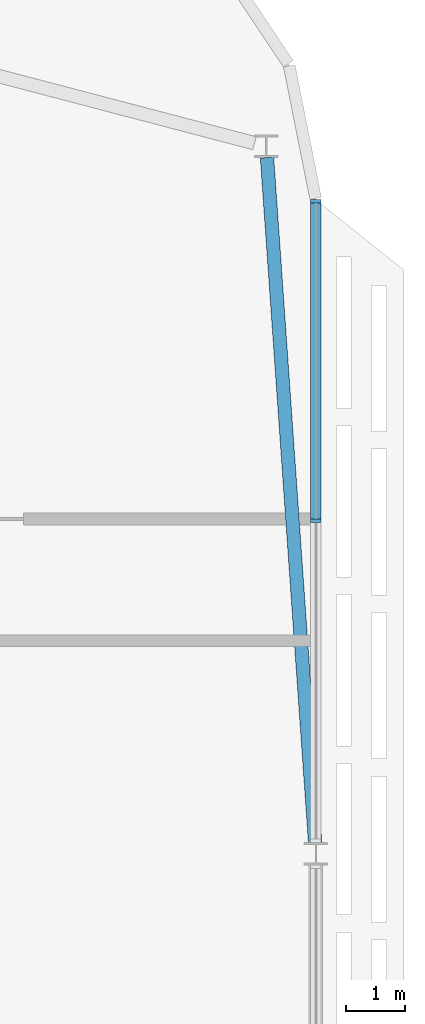
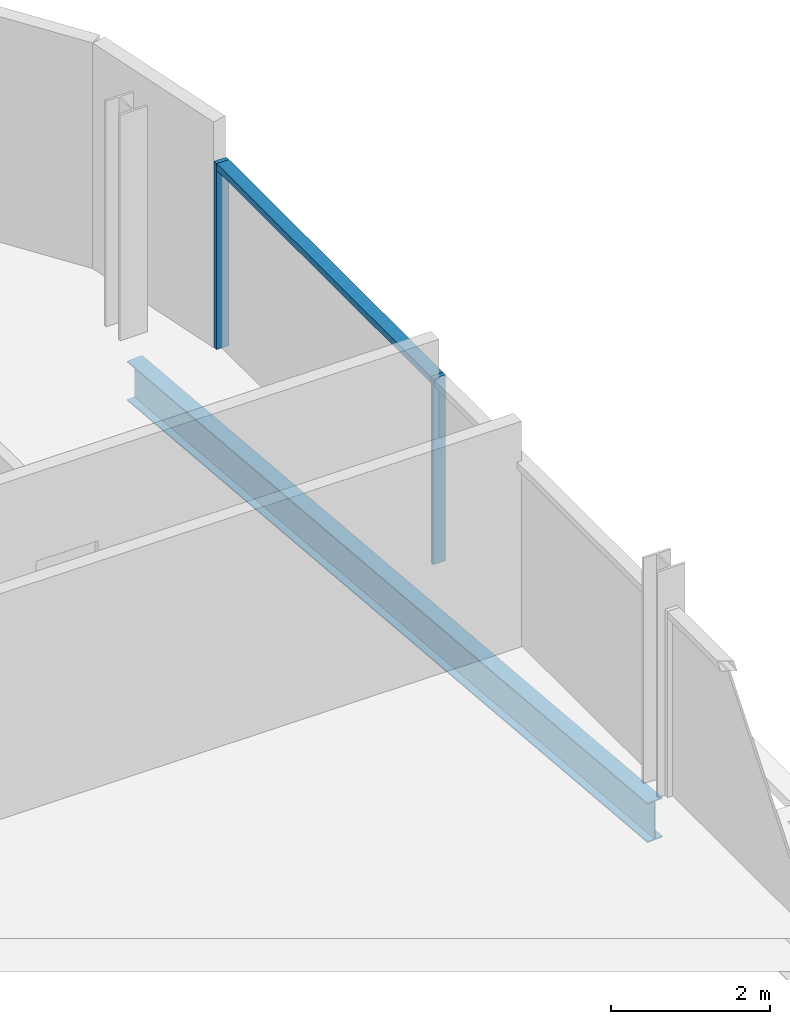
# One storey, part 15 of 32: 3 members, 1 beam, 1 element without a shape of its own.
"""IFC4 building model written with IfcOpenShell, lengths in metres."""

from ifc_helpers import new_model, si_unit, direction, frame, origin, origin_2d, place, context, subcontext, project, spatial, rectangle, i_section, extrude, material, material_profile, profile_set, type_object, element, aggregate, save


model = new_model("IFC4")

# Units and contexts
model_context = context("Model", 3, precision=1e-05, world=origin(), true_north=direction((0.0, 1.0)))
body_context = subcontext(model_context, "Body", "Model", "MODEL_VIEW")
ifc_project = project(units=[si_unit("LENGTHUNIT", "METRE"), si_unit("AREAUNIT", "SQUARE_METRE"), si_unit("VOLUMEUNIT", "CUBIC_METRE"), si_unit("PLANEANGLEUNIT", "RADIAN"), si_unit("MASSUNIT", "GRAM", prefix="KILO")], contexts=[model_context])

# Site, building, storey
site_placement = place(None, origin())
site = spatial("IfcSite", under=ifc_project, at=site_placement, CompositionType="ELEMENT")
building_placement = place(site_placement, origin())
building = spatial("IfcBuilding", under=site, at=building_placement, Name="Mahtab Terrace Research Tower", CompositionType="ELEMENT")
storey_placement = place(building_placement, frame((0.0, 0.0, 232.39990234375)))
storey = spatial("IfcBuildingStorey", under=building, at=storey_placement, Name="L56", CompositionType="ELEMENT", Elevation=232.39990234375)

# Curtain wall, members
ifc_material_1 = material(Name="Office ribbon curtain wall")
curtain_wall_type = type_object("IfcCurtainWallType", Name="Office ribbon curtain wall", PredefinedType="NOTDEFINED", material=ifc_material_1)
curtain_wall_placement = place(storey_placement, origin())
curtain_wall = element("IfcCurtainWall", 1, at=curtain_wall_placement, inside=storey, type_object=curtain_wall_type, Name="EN.L56.18.23", PredefinedType="NOTDEFINED")
ifc_material_2 = material(Name="Natural anodised aluminium", Category="aluminium")
ifc_material_profile_1 = material_profile(ifc_material_2, rectangle(XDim=0.179931640625, YDim=0.06005859375, at=origin_2d()), Name="MULLION 60x180")
ifc_profile_set_1 = profile_set([ifc_material_profile_1], Name="Natural anodised aluminium")
member_type_1 = type_object("IfcMemberType", Name="Office ribbon curtain wall mullion", PredefinedType="MULLION", material=ifc_profile_set_1)
member_1_placement = place(storey_placement, frame((54.0, 17.166015625, 0.0), z_axis=(0.0, 0.0, 1.0), x_axis=(-1.0, 0.0, 0.0)))
member_1 = element("IfcMember", 2, at=member_1_placement, type_object=member_type_1, Name="CWO-7 mullion 2", PredefinedType="MULLION", context=body_context, shape_type="SweptSolid", body=[
    extrude(rectangle(XDim=0.179931640625, YDim=0.06005859375, at=origin_2d()), origin(), (0.0, 0.0, 1.0), 2.85302734375),
])
member_2_placement = place(storey_placement, frame((54.0, 22.60888671875, 0.0), z_axis=(0.0, 0.0, 1.0), x_axis=(-1.0, 0.0, 0.0)))
member_2 = element("IfcMember", 3, at=member_2_placement, type_object=member_type_1, Name="CWO-7 mullion 3", PredefinedType="MULLION", context=body_context, shape_type="SweptSolid", body=[
    extrude(rectangle(XDim=0.179931640625, YDim=0.06005859375, at=origin_2d()), origin(), (0.0, 0.0, 1.0), 2.85302734375),
])
ifc_material_profile_2 = material_profile(ifc_material_2, rectangle(XDim=0.179931640625, YDim=0.10009765625, at=origin_2d()), Name="TRANSOM 100x180")
ifc_profile_set_2 = profile_set([ifc_material_profile_2], Name="Natural anodised aluminium")
member_type_2 = type_object("IfcMemberType", Name="Office ribbon curtain wall transom", PredefinedType="USERDEFINED", material=ifc_profile_set_2)
member_3_placement = place(storey_placement, frame((54.0, 17.196044921875, 2.802978515625), z_axis=(0.0, 1.0, 0.0), x_axis=(-1.0, 0.0, 0.0)))
member_3 = element("IfcMember", 4, at=member_3_placement, type_object=member_type_2, Name="CWO-7 transom 2", ObjectType="TRANSOM", PredefinedType="USERDEFINED", context=body_context, shape_type="SweptSolid", body=[
    extrude(rectangle(XDim=0.179931640625, YDim=0.10009765625, at=origin_2d()), origin(), (0.0, 0.0, 1.0), 5.383056640625),
])
aggregate(curtain_wall, [member_1, member_2, member_3])

# Beam
ifc_material_3 = material(Name="Steel ASTM A992 Gr 50", Category="steel")
ifc_material_profile_3 = material_profile(ifc_material_3, i_section(OverallWidth=0.228271484375, OverallDepth=0.607177734375, WebThickness=0.01123046875, FlangeThickness=0.017333984375, at=origin_2d()), Name="W24X76")
ifc_profile_set_3 = profile_set([ifc_material_profile_3], Name="Steel ASTM A992 Gr 50")
beam_type = type_object("IfcBeamType", Name="W24x76 beam BS2476", PredefinedType="BEAM", material=ifc_profile_set_3)
beam_placement = place(storey_placement, frame((53.986328125, 11.693115234375, -0.6435546875), z_axis=(-0.070055060722, 0.997543126119, 0.0), x_axis=(-0.997543126119, -0.070055060722, 0.0)))
element("IfcBeam", 5, at=beam_placement, inside=storey, type_object=beam_type, Name="Spandrel beam L56 22", PredefinedType="BEAM", context=body_context, shape_type="SweptSolid", body=[
    extrude(i_section(OverallWidth=0.228271484375, OverallDepth=0.607177734375, WebThickness=0.01123046875, FlangeThickness=0.017333984375, at=origin_2d()), origin(), (0.0, 0.0, 1.0), 11.688720703125),
])

save(model, "model.ifc")
